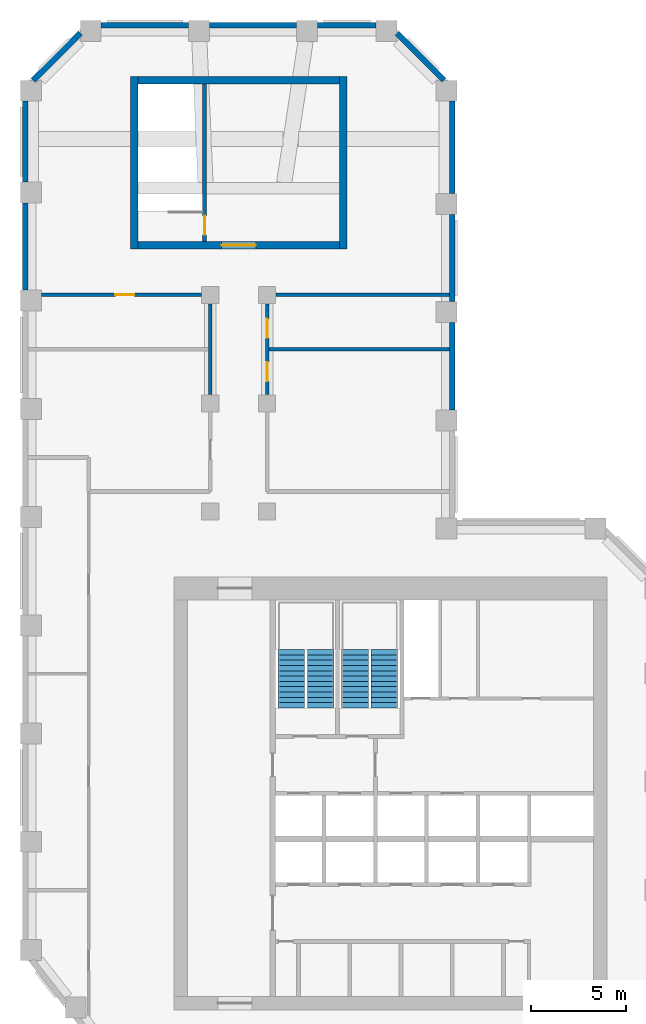
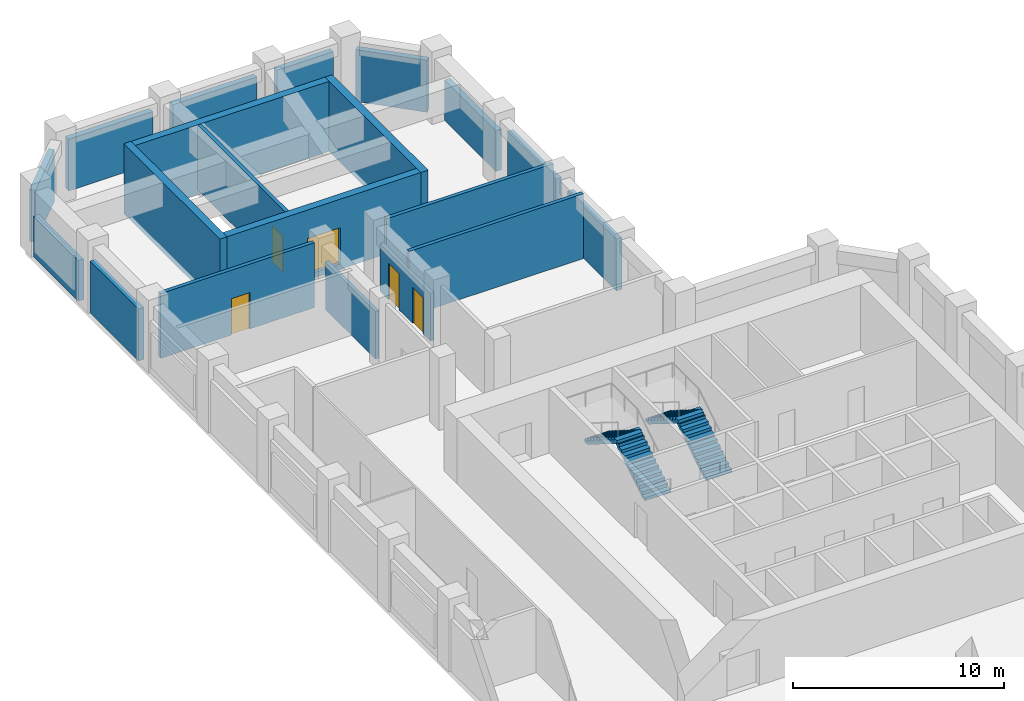
# One storey, part 7 of 8: 20 walls, 5 doors, 4 stair flights, 5 openings, 2 elements without a shape of their own.
"""IFC4 building model written with IfcOpenShell, lengths in metres."""

from ifc_helpers import new_model, si_unit, direction, frame, frame_2d, origin, place, context, subcontext, project, spatial, polyline, rectangle, outline, extrude, material, layer, layer_set, type_object, element, fill, aggregate, save


model = new_model("IFC4")

# Units and contexts
model_context = context("Model", 3, precision=1e-05, world=origin(), true_north=direction((0.0, 1.0)))
body_context = subcontext(model_context, "Body", "Model", "MODEL_VIEW")
ifc_project = project(units=[si_unit("LENGTHUNIT", "METRE"), si_unit("AREAUNIT", "SQUARE_METRE"), si_unit("VOLUMEUNIT", "CUBIC_METRE"), si_unit("PLANEANGLEUNIT", "RADIAN"), si_unit("MASSUNIT", "GRAM", prefix="KILO")], contexts=[model_context])

# Site, building, storey
site_placement = place(None, origin())
site = spatial("IfcSite", under=ifc_project, at=site_placement, CompositionType="ELEMENT")
building_placement = place(site_placement, origin())
building = spatial("IfcBuilding", under=site, at=building_placement, Name="Meshkara Civic Tower", CompositionType="ELEMENT")
storey_placement = place(building_placement, frame((0.0, 0.0, 280.199951171875)))
storey = spatial("IfcBuildingStorey", under=building, at=storey_placement, Name="L64", CompositionType="ELEMENT", Elevation=280.199951171875)

# Walls
ifc_material_1 = material(Name="Insulated infill panel with bronze anodised aluminium cladding", Category="aluminium")
ifc_layer_1 = layer(ifc_material_1, 0.300048828125)
ifc_layer_set_1 = layer_set([ifc_layer_1], Name="EXTERNAL INFILL WALL 300")
wall_type_1 = type_object("IfcWallType", Name="EXTERNAL INFILL WALL 300", PredefinedType="SOLIDWALL", material=ifc_layer_set_1)
wall_1_placement = place(storey_placement, frame((22.64990234375, 45.699951171875, 0.0), z_axis=(0.0, 0.0, 1.0), x_axis=(0.0, 1.0, 0.0)))
element("IfcWall", 1, at=wall_1_placement, inside=storey, type_object=wall_type_1, Name="External wall", PredefinedType="SOLIDWALL", context=body_context, shape_type="SweptSolid", body=[
    extrude(rectangle(XDim=4.60009765625, YDim=0.300048828125, at=frame_2d((2.300048828125, 0.0))), origin(), (0.0, 0.0, 1.0), 3.0),
])
wall_2_placement = place(storey_placement, frame((22.64990234375, 51.40087890625, 0.0), z_axis=(0.0, 0.0, 1.0), x_axis=(0.0, 1.0, 0.0)))
element("IfcWall", 2, at=wall_2_placement, inside=storey, type_object=wall_type_1, Name="External wall", PredefinedType="SOLIDWALL", context=body_context, shape_type="SweptSolid", body=[
    extrude(rectangle(XDim=4.59814453125, YDim=0.300048828125, at=frame_2d((2.299072265625, 0.0))), origin(), (0.0, 0.0, 1.0), 3.0),
])
wall_3_placement = place(storey_placement, frame((22.64990234375, 57.10009765625, 0.0), z_axis=(0.0, 0.0, 1.0), x_axis=(0.0, 1.0, 0.0)))
element("IfcWall", 3, at=wall_3_placement, inside=storey, type_object=wall_type_1, Name="External wall", PredefinedType="SOLIDWALL", context=body_context, shape_type="SweptSolid", body=[
    extrude(rectangle(XDim=4.864013671875, YDim=0.300048828125, at=frame_2d((2.43212890625, 0.0))), origin(), (0.0, 0.0, 1.0), 2.35009765625),
])
wall_4_placement = place(storey_placement, frame((22.22412109375, 63.06396484375, 0.0), z_axis=(0.0, 0.0, 1.0), x_axis=(-0.70714158403, 0.70707197663, 0.0)))
element("IfcWall", 4, at=wall_4_placement, inside=storey, type_object=wall_type_1, Name="External wall", PredefinedType="SOLIDWALL", context=body_context, shape_type="SweptSolid", body=[
    extrude(rectangle(XDim=3.50732421875, YDim=0.300048828125, at=frame_2d((1.753662109375, 0.0))), origin(), (0.0, 0.0, 1.0), 3.0),
])
wall_5_placement = place(storey_placement, frame((18.64306640625, 65.969970703125, 0.0), z_axis=(0.0, 0.0, 1.0), x_axis=(-1.0, 0.0, 0.0)))
element("IfcWall", 5, at=wall_5_placement, inside=storey, type_object=wall_type_1, Name="External wall", PredefinedType="SOLIDWALL", context=body_context, shape_type="SweptSolid", body=[
    extrude(rectangle(XDim=3.087158203125, YDim=0.300048828125, at=frame_2d((1.54345703125, 0.0))), origin(), (0.0, 0.0, 1.0), 3.0),
])
wall_6_placement = place(storey_placement, frame((14.4560546875, 65.969970703125, 0.0), z_axis=(0.0, 0.0, 1.0), x_axis=(-1.0, 0.0, 0.0)))
element("IfcWall", 6, at=wall_6_placement, inside=storey, type_object=wall_type_1, Name="External wall", PredefinedType="SOLIDWALL", context=body_context, shape_type="SweptSolid", body=[
    extrude(rectangle(XDim=4.59912109375, YDim=0.300048828125, at=frame_2d((2.299560546875, 0.0))), origin(), (0.0, 0.0, 1.0), 3.0),
])
wall_7_placement = place(storey_placement, frame((8.7548828125, 65.969970703125, 0.0), z_axis=(0.0, 0.0, 1.0), x_axis=(-1.0, 0.0, 0.0)))
element("IfcWall", 7, at=wall_7_placement, inside=storey, type_object=wall_type_1, Name="External wall", PredefinedType="SOLIDWALL", context=body_context, shape_type="SweptSolid", body=[
    extrude(rectangle(XDim=4.598876953125, YDim=0.300048828125, at=frame_2d((2.29931640625, 0.0))), origin(), (0.0, 0.0, 1.0), 3.0),
])
wall_8_placement = place(storey_placement, frame((3.055908203125, 65.5439453125, 0.0), z_axis=(0.0, 0.0, 1.0), x_axis=(-0.707106781187, -0.707106781187, 0.0)))
element("IfcWall", 8, at=wall_8_placement, inside=storey, type_object=wall_type_1, Name="External wall", PredefinedType="SOLIDWALL", context=body_context, shape_type="SweptSolid", body=[
    extrude(rectangle(XDim=3.50732421875, YDim=0.300048828125, at=frame_2d((1.753662109375, 0.0))), origin(), (0.0, 0.0, 1.0), 3.0),
])
wall_9_placement = place(storey_placement, frame((0.14990234375, 61.964111328125, 0.0), z_axis=(0.0, 0.0, 1.0), x_axis=(0.0, -1.0, 0.0)))
element("IfcWall", 9, at=wall_9_placement, inside=storey, type_object=wall_type_1, Name="External wall", PredefinedType="SOLIDWALL", context=body_context, shape_type="SweptSolid", body=[
    extrude(rectangle(XDim=4.258056640625, YDim=0.300048828125, at=frame_2d((2.12890625, 0.0))), origin(), (0.0, 0.0, 1.0), 2.35009765625),
])
wall_10_placement = place(storey_placement, frame((0.14990234375, 56.60498046875, 0.0), z_axis=(0.0, 0.0, 1.0), x_axis=(0.0, -1.0, 0.0)))
element("IfcWall", 10, at=wall_10_placement, inside=storey, type_object=wall_type_1, Name="External wall", PredefinedType="SOLIDWALL", context=body_context, shape_type="SweptSolid", body=[
    extrude(rectangle(XDim=4.60009765625, YDim=0.300048828125, at=frame_2d((2.300048828125, 0.0))), origin(), (0.0, 0.0, 1.0), 3.0),
])
ifc_material_2 = material(Name="Concrete C60", Category="concrete")
ifc_layer_2 = layer(ifc_material_2, 0.39990234375)
ifc_layer_set_2 = layer_set([ifc_layer_2], Name="End core ring wall 400 C60")
wall_type_2 = type_object("IfcWallType", Name="End core ring wall 400 C60", PredefinedType="SHEAR", material=ifc_layer_set_2)
for number, where, z_axis, x_axis, name in (
    (11, (5.89990234375, 54.169921875, -0.300048828125), (0.0, 0.0, 1.0), (0.0, 1.0, 0.0), "L64-C027"),
    (12, (16.89990234375, 54.169921875, -0.300048828125), (0.0, 0.0, 1.0), (0.0, 1.0, 0.0), "L64-C028"),
):
    element("IfcWall", number, at=place(storey_placement, frame(where, z_axis=z_axis, x_axis=x_axis)), inside=storey, type_object=wall_type_2, Name=name, PredefinedType="SHEAR", context=body_context, shape_type="SweptSolid", body=[
        extrude(rectangle(XDim=9.10009765625, YDim=0.39990234375, at=frame_2d((4.550048828125, 0.0))), origin(), (0.0, 0.0, 1.0), 4.050048828125),
    ])

# Wall, opening, door
wall_11_placement = place(storey_placement, frame((6.10009765625, 54.3701171875, -0.300048828125), z_axis=(0.0, 0.0, 1.0), x_axis=(1.0, 0.0, 0.0)))
wall_11 = element("IfcWall", 13, at=wall_11_placement, inside=storey, type_object=wall_type_2, Name="L64-C029", PredefinedType="SHEAR", context=body_context, shape_type="SweptSolid", body=[
    extrude(rectangle(XDim=10.599853515625, YDim=0.39990234375, at=frame_2d((5.2998046875, 0.0))), origin(), (0.0, 0.0, 1.0), 4.050048828125),
])
opening_1_placement = place(wall_11_placement, frame((4.39990234375, 0.0, 0.300048828125)))
opening_1 = element("IfcOpeningElement", 14, at=opening_1_placement, cuts=wall_11, Name="Opening L64-K102", PredefinedType="OPENING", context=body_context, shape_type="SweptSolid", body=[
    extrude(rectangle(XDim=1.800048828125, YDim=2.10009765625, at=frame_2d((0.89990234375, 1.050048828125))), frame((0.0, 0.2099609375, 0.0), z_axis=(0.0, -1.0, 0.0), x_axis=(1.0, 0.0, 0.0)), (0.0, 0.0, 1.0), 0.419921875),
])
ifc_material_3 = material(Name="Fire-rated door leaf in steel frame", Category="steel")
door_type_1 = type_object("IfcDoorType", Name="Core double door 1800 EI 60", OperationType="DOUBLE_DOOR_SINGLE_SWING", PredefinedType="DOOR", material=ifc_material_3)
door_1_placement = place(opening_1_placement, origin())
door_1 = element("IfcDoor", 15, at=door_1_placement, inside=storey, type_object=door_type_1, Name="L64-K102", OperationType="DOUBLE_DOOR_SINGLE_SWING", OverallHeight=2.10009765625, OverallWidth=1.800048828125, PredefinedType="DOOR", context=body_context, shape_type="SweptSolid", body=[
    extrude(rectangle(XDim=1.800048828125, YDim=2.10009765625, at=frame_2d((0.89990234375, 1.050048828125))), frame((0.0, 0.02490234375, 0.0), z_axis=(0.0, -1.0, 0.0), x_axis=(1.0, 0.0, 0.0)), (0.0, 0.0, 1.0), 0.050048828125),
])
fill(opening_1, door_1)

# Wall
wall_12_placement = place(storey_placement, frame((6.10009765625, 63.070068359375, -0.300048828125), z_axis=(0.0, 0.0, 1.0), x_axis=(1.0, 0.0, 0.0)))
element("IfcWall", 16, at=wall_12_placement, inside=storey, type_object=wall_type_2, Name="L64-C030", PredefinedType="SHEAR", context=body_context, shape_type="SweptSolid", body=[
    extrude(rectangle(XDim=10.599853515625, YDim=0.39990234375, at=frame_2d((5.2998046875, 0.0))), origin(), (0.0, 0.0, 1.0), 4.050048828125),
])

# Wall, opening, door
ifc_material_4 = material(Name="Fire-rated wall 200")
ifc_layer_3 = layer(ifc_material_4, 0.199951171875)
ifc_layer_set_3 = layer_set([ifc_layer_3], Name="Fire-rated wall 200")
wall_type_3 = type_object("IfcWallType", Name="Fire-rated wall 200", PredefinedType="PARTITIONING", material=ifc_layer_set_3)
wall_13_placement = place(storey_placement, frame((1.02001953125, 51.77001953125, 0.0), z_axis=(0.0, 0.0, 1.0), x_axis=(1.0, 0.0, 0.0)))
wall_13 = element("IfcWall", 17, at=wall_13_placement, inside=storey, type_object=wall_type_3, Name="L64-R001", PredefinedType="PARTITIONING", context=body_context, shape_type="SweptSolid", body=[
    extrude(rectangle(XDim=8.409912109375, YDim=0.199951171875, at=frame_2d((4.205078125, 0.0))), origin(), (0.0, 0.0, 1.0), 3.75),
])
opening_2_placement = place(wall_13_placement, frame((3.8798828125, 0.0, 0.0)))
opening_2 = element("IfcOpeningElement", 18, at=opening_2_placement, cuts=wall_13, Name="Opening L64-P016", PredefinedType="OPENING", context=body_context, shape_type="SweptSolid", body=[
    extrude(rectangle(XDim=1.0, YDim=2.10009765625, at=frame_2d((0.5, 1.050048828125))), frame((0.0, 0.10986328125, 0.0), z_axis=(0.0, -1.0, 0.0), x_axis=(1.0, 0.0, 0.0)), (0.0, 0.0, 1.0), 0.219970703125),
])
ifc_material_5 = material(Name="Door 1000 x 2100")
door_type_2 = type_object("IfcDoorType", Name="Door 1000 x 2100", OperationType="SINGLE_SWING_LEFT", PredefinedType="DOOR", material=ifc_material_5)
door_2_placement = place(opening_2_placement, origin())
door_2 = element("IfcDoor", 19, at=door_2_placement, inside=storey, type_object=door_type_2, Name="L64-P016", OperationType="SINGLE_SWING_LEFT", OverallHeight=2.10009765625, OverallWidth=1.0, PredefinedType="DOOR", context=body_context, shape_type="SweptSolid", body=[
    extrude(rectangle(XDim=1.0, YDim=2.10009765625, at=frame_2d((0.5, 1.050048828125))), frame((0.0, 0.02490234375, 0.0), z_axis=(0.0, -1.0, 0.0), x_axis=(1.0, 0.0, 0.0)), (0.0, 0.0, 1.0), 0.050048828125),
])
fill(opening_2, door_2)

# Wall
wall_14_placement = place(storey_placement, frame((9.89990234375, 51.280029296875, 0.0), z_axis=(0.0, 0.0, 1.0), x_axis=(0.0, -1.0, 0.0)))
element("IfcWall", 20, at=wall_14_placement, inside=storey, type_object=wall_type_3, Name="L64-R005", PredefinedType="PARTITIONING", context=body_context, shape_type="SweptSolid", body=[
    extrude(rectangle(XDim=4.760009765625, YDim=0.199951171875, at=frame_2d((2.3798828125, 0.0))), origin(), (0.0, 0.0, 1.0), 2.75),
])

# Wall, openings, doors
wall_15_placement = place(storey_placement, frame((12.89990234375, 51.280029296875, 0.0), z_axis=(0.0, 0.0, 1.0), x_axis=(0.0, -1.0, 0.0)))
wall_15 = element("IfcWall", 21, at=wall_15_placement, inside=storey, type_object=wall_type_3, Name="L64-R009", PredefinedType="PARTITIONING", context=body_context, shape_type="SweptSolid", body=[
    extrude(rectangle(XDim=4.760009765625, YDim=0.199951171875, at=frame_2d((2.3798828125, 0.0))), origin(), (0.0, 0.0, 1.0), 2.75),
])
opening_3_placement = place(wall_15_placement, frame((3.06005859375, 0.0, 0.0)))
opening_3 = element("IfcOpeningElement", 22, at=opening_3_placement, cuts=wall_15, Name="Opening L64-P015", PredefinedType="OPENING", context=body_context, shape_type="SweptSolid", body=[
    extrude(rectangle(XDim=1.0, YDim=2.10009765625, at=frame_2d((0.5, 1.050048828125))), frame((0.0, 0.10986328125, 0.0), z_axis=(0.0, -1.0, 0.0), x_axis=(1.0, 0.0, 0.0)), (0.0, 0.0, 1.0), 0.219970703125),
])
opening_4_placement = place(wall_15_placement, frame((0.780029296875, 0.0, 0.0)))
opening_4 = element("IfcOpeningElement", 23, at=opening_4_placement, cuts=wall_15, Name="Opening L64-P017", PredefinedType="OPENING", context=body_context, shape_type="SweptSolid", body=[
    extrude(rectangle(XDim=1.0, YDim=2.10009765625, at=frame_2d((0.5, 1.050048828125))), frame((0.0, 0.10986328125, 0.0), z_axis=(0.0, -1.0, 0.0), x_axis=(1.0, 0.0, 0.0)), (0.0, 0.0, 1.0), 0.219970703125),
])
door_3_placement = place(opening_3_placement, origin())
door_3 = element("IfcDoor", 24, at=door_3_placement, inside=storey, type_object=door_type_2, Name="L64-P015", OperationType="SINGLE_SWING_LEFT", OverallHeight=2.10009765625, OverallWidth=1.0, PredefinedType="DOOR", context=body_context, shape_type="SweptSolid", body=[
    extrude(rectangle(XDim=1.0, YDim=2.10009765625, at=frame_2d((0.5, 1.050048828125))), frame((0.0, 0.02490234375, 0.0), z_axis=(0.0, -1.0, 0.0), x_axis=(1.0, 0.0, 0.0)), (0.0, 0.0, 1.0), 0.050048828125),
])
fill(opening_3, door_3)
door_4_placement = place(opening_4_placement, origin())
door_4 = element("IfcDoor", 25, at=door_4_placement, inside=storey, type_object=door_type_2, Name="L64-P017", OperationType="SINGLE_SWING_RIGHT", OverallHeight=2.10009765625, OverallWidth=1.0, PredefinedType="DOOR", context=body_context, shape_type="SweptSolid", body=[
    extrude(rectangle(XDim=1.0, YDim=2.10009765625, at=frame_2d((0.5, 1.050048828125))), frame((0.0, 0.02490234375, 0.0), z_axis=(0.0, -1.0, 0.0), x_axis=(1.0, 0.0, 0.0)), (0.0, 0.0, 1.0), 0.050048828125),
])
fill(opening_4, door_4)

# Walls
wall_16_placement = place(storey_placement, frame((13.3701171875, 51.77001953125, 0.0), z_axis=(0.0, 0.0, 1.0), x_axis=(1.0, 0.0, 0.0)))
element("IfcWall", 26, at=wall_16_placement, inside=storey, type_object=wall_type_3, Name="L64-R010", PredefinedType="PARTITIONING", context=body_context, shape_type="SweptSolid", body=[
    extrude(rectangle(XDim=9.1298828125, YDim=0.199951171875, at=frame_2d((4.56494140625, 0.0))), origin(), (0.0, 0.0, 1.0), 3.75),
])
wall_17_placement = place(storey_placement, frame((22.5, 48.89990234375, 0.0), z_axis=(0.0, 0.0, 1.0), x_axis=(-1.0, 0.0, 0.0)))
element("IfcWall", 27, at=wall_17_placement, inside=storey, type_object=wall_type_3, Name="L64-R034", PredefinedType="PARTITIONING", context=body_context, shape_type="SweptSolid", body=[
    extrude(rectangle(XDim=9.550048828125, YDim=0.199951171875, at=frame_2d((4.77490234375, 0.0))), origin(), (0.0, 0.0, 1.0), 3.75),
])

# Wall, opening, door
ifc_material_6 = material(Name="Concrete C40/50", Category="concrete")
ifc_layer_4 = layer(ifc_material_6, 0.199951171875)
ifc_layer_set_4 = layer_set([ifc_layer_4], Name="Stair enclosure wall 200 C40/50")
wall_type_4 = type_object("IfcWallType", Name="Stair enclosure wall 200 C40/50", PredefinedType="SOLIDWALL", material=ifc_layer_set_4)
wall_18_placement = place(storey_placement, frame((9.60009765625, 54.570068359375, 0.0), z_axis=(0.0, 0.0, 1.0), x_axis=(0.0, 1.0, 0.0)))
wall_18 = element("IfcWall", 28, at=wall_18_placement, inside=storey, type_object=wall_type_4, Name="L64-C031", PredefinedType="SOLIDWALL", context=body_context, shape_type="SweptSolid", body=[
    extrude(rectangle(XDim=8.300048828125, YDim=0.199951171875, at=frame_2d((4.14990234375, 0.0))), origin(), (0.0, 0.0, 1.0), 3.75),
])
opening_5_placement = place(wall_18_placement, frame((0.35009765625, 0.0, 0.0)))
opening_5 = element("IfcOpeningElement", 29, at=opening_5_placement, cuts=wall_18, Name="Opening L64-K101", PredefinedType="OPENING", context=body_context, shape_type="SweptSolid", body=[
    extrude(rectangle(XDim=1.0, YDim=2.10009765625, at=frame_2d((0.5, 1.050048828125))), frame((0.0, 0.10986328125, 0.0), z_axis=(0.0, -1.0, 0.0), x_axis=(1.0, 0.0, 0.0)), (0.0, 0.0, 1.0), 0.219970703125),
])
ifc_material_7 = material(Name="Fire-rated door leaf in steel frame", Category="steel")
door_type_3 = type_object("IfcDoorType", Name="Stair door 1000 EI 120", OperationType="SINGLE_SWING_LEFT", PredefinedType="DOOR", material=ifc_material_7)
door_5_placement = place(opening_5_placement, origin())
door_5 = element("IfcDoor", 30, at=door_5_placement, inside=storey, type_object=door_type_3, Name="L64-K101", OperationType="SINGLE_SWING_RIGHT", OverallHeight=2.10009765625, OverallWidth=1.0, PredefinedType="DOOR", context=body_context, shape_type="SweptSolid", body=[
    extrude(rectangle(XDim=1.0, YDim=2.10009765625, at=frame_2d((0.5, 1.050048828125))), frame((0.0, 0.02490234375, 0.0), z_axis=(0.0, -1.0, 0.0), x_axis=(1.0, 0.0, 0.0)), (0.0, 0.0, 1.0), 0.050048828125),
])
fill(opening_5, door_5)

# Stair, stair flights
ifc_material_8 = material(Name="Precast concrete C40/50", Category="concrete")
stair_type = type_object("IfcStairType", Name="Exit stair half-turn 24 risers precast", PredefinedType="HALF_TURN_STAIR", material=ifc_material_8)
stair_1_placement = place(storey_placement, origin())
stair_1 = element("IfcStair", 31, at=stair_1_placement, inside=storey, type_object=stair_type, Name="L64 exit stair 1", PredefinedType="HALF_TURN_STAIR")
ifc_material_9 = material(Name="Precast concrete C40/50", Category="concrete")
stair_flight_type = type_object("IfcStairFlightType", Name="Exit stair flight 12 risers precast", PredefinedType="STRAIGHT", material=ifc_material_9)
stair_flight_1_placement = place(storey_placement, frame((15.72509765625, 30.0, 0.0), z_axis=(0.0, 0.0, 1.0), x_axis=(0.0, 1.0, 0.0)))
stair_flight_1 = element("IfcStairFlight", 32, at=stair_flight_1_placement, type_object=stair_flight_type, Name="ST1 flight 1", NumberOfRisers=12, NumberOfTreads=11, PredefinedType="STRAIGHT", RiserHeight=0.175, TreadLength=0.28, context=body_context, shape_type="SweptSolid", body=[
    extrude(outline(polyline([(0.0, 0.0), (0.0, 0.175048828125), (0.280029296875, 0.175048828125), (0.280029296875, 0.35009765625), (0.56005859375, 0.35009765625), (0.56005859375, 0.52490234375), (0.840087890625, 0.52490234375), (0.840087890625, 0.699951171875), (1.1201171875, 0.699951171875), (1.1201171875, 0.875), (1.39990234375, 0.875), (1.39990234375, 1.050048828125), (1.679931640625, 1.050048828125), (1.679931640625, 1.22509765625), (1.9599609375, 1.22509765625), (1.9599609375, 1.39990234375), (2.239990234375, 1.39990234375), (2.239990234375, 1.574951171875), (2.52001953125, 1.574951171875), (2.52001953125, 1.75), (2.800048828125, 1.75), (2.800048828125, 1.925048828125), (3.080078125, 1.925048828125), (3.080078125, 2.10009765625), (3.080078125, 1.748291015625), (0.28271484375, 0.0), (0.0, 0.0)])), frame((0.0, 0.699951171875, 0.0), z_axis=(0.0, -1.0, 0.0), x_axis=(1.0, 0.0, 0.0)), (0.0, 0.0, 1.0), 1.39990234375),
])
stair_flight_2_placement = place(storey_placement, frame((14.175048828125, 33.080078125, 2.10009765625), z_axis=(0.0, 0.0, 1.0), x_axis=(0.0, -1.0, 0.0)))
stair_flight_2 = element("IfcStairFlight", 33, at=stair_flight_2_placement, type_object=stair_flight_type, Name="ST1 flight 2", NumberOfRisers=12, NumberOfTreads=11, PredefinedType="STRAIGHT", RiserHeight=0.175, TreadLength=0.28, context=body_context, shape_type="SweptSolid", body=[
    extrude(outline(polyline([(0.0, 0.0), (0.0, 0.175048828125), (0.280029296875, 0.175048828125), (0.280029296875, 0.35009765625), (0.56005859375, 0.35009765625), (0.56005859375, 0.52490234375), (0.840087890625, 0.52490234375), (0.840087890625, 0.699951171875), (1.1201171875, 0.699951171875), (1.1201171875, 0.875), (1.39990234375, 0.875), (1.39990234375, 1.050048828125), (1.679931640625, 1.050048828125), (1.679931640625, 1.22509765625), (1.9599609375, 1.22509765625), (1.9599609375, 1.39990234375), (2.239990234375, 1.39990234375), (2.239990234375, 1.574951171875), (2.52001953125, 1.574951171875), (2.52001953125, 1.75), (2.800048828125, 1.75), (2.800048828125, 1.925048828125), (3.080078125, 1.925048828125), (3.080078125, 2.10009765625), (3.080078125, 1.748291015625), (0.28271484375, 0.0), (0.0, 0.0)])), frame((0.0, 0.699951171875, 0.0), z_axis=(0.0, -1.0, 0.0), x_axis=(1.0, 0.0, 0.0)), (0.0, 0.0, 1.0), 1.39990234375),
])
aggregate(stair_1, [stair_flight_1, stair_flight_2])

stair_2_placement = place(storey_placement, origin())
stair_2 = element("IfcStair", 34, at=stair_2_placement, inside=storey, type_object=stair_type, Name="L64 exit stair 2", PredefinedType="HALF_TURN_STAIR")
stair_flight_3_placement = place(storey_placement, frame((19.074951171875, 30.0, 0.0), z_axis=(0.0, 0.0, 1.0), x_axis=(0.0, 1.0, 0.0)))
stair_flight_3 = element("IfcStairFlight", 35, at=stair_flight_3_placement, type_object=stair_flight_type, Name="ST2 flight 1", NumberOfRisers=12, NumberOfTreads=11, PredefinedType="STRAIGHT", RiserHeight=0.175, TreadLength=0.28, context=body_context, shape_type="SweptSolid", body=[
    extrude(outline(polyline([(0.0, 0.0), (0.0, 0.175048828125), (0.280029296875, 0.175048828125), (0.280029296875, 0.35009765625), (0.56005859375, 0.35009765625), (0.56005859375, 0.52490234375), (0.840087890625, 0.52490234375), (0.840087890625, 0.699951171875), (1.1201171875, 0.699951171875), (1.1201171875, 0.875), (1.39990234375, 0.875), (1.39990234375, 1.050048828125), (1.679931640625, 1.050048828125), (1.679931640625, 1.22509765625), (1.9599609375, 1.22509765625), (1.9599609375, 1.39990234375), (2.239990234375, 1.39990234375), (2.239990234375, 1.574951171875), (2.52001953125, 1.574951171875), (2.52001953125, 1.75), (2.800048828125, 1.75), (2.800048828125, 1.925048828125), (3.080078125, 1.925048828125), (3.080078125, 2.10009765625), (3.080078125, 1.748291015625), (0.28271484375, 0.0), (0.0, 0.0)])), frame((0.0, 0.699951171875, 0.0), z_axis=(0.0, -1.0, 0.0), x_axis=(1.0, 0.0, 0.0)), (0.0, 0.0, 1.0), 1.39990234375),
])
stair_flight_4_placement = place(storey_placement, frame((17.52490234375, 33.080078125, 2.10009765625), z_axis=(0.0, 0.0, 1.0), x_axis=(0.0, -1.0, 0.0)))
stair_flight_4 = element("IfcStairFlight", 36, at=stair_flight_4_placement, type_object=stair_flight_type, Name="ST2 flight 2", NumberOfRisers=12, NumberOfTreads=11, PredefinedType="STRAIGHT", RiserHeight=0.175, TreadLength=0.28, context=body_context, shape_type="SweptSolid", body=[
    extrude(outline(polyline([(0.0, 0.0), (0.0, 0.175048828125), (0.280029296875, 0.175048828125), (0.280029296875, 0.35009765625), (0.56005859375, 0.35009765625), (0.56005859375, 0.52490234375), (0.840087890625, 0.52490234375), (0.840087890625, 0.699951171875), (1.1201171875, 0.699951171875), (1.1201171875, 0.875), (1.39990234375, 0.875), (1.39990234375, 1.050048828125), (1.679931640625, 1.050048828125), (1.679931640625, 1.22509765625), (1.9599609375, 1.22509765625), (1.9599609375, 1.39990234375), (2.239990234375, 1.39990234375), (2.239990234375, 1.574951171875), (2.52001953125, 1.574951171875), (2.52001953125, 1.75), (2.800048828125, 1.75), (2.800048828125, 1.925048828125), (3.080078125, 1.925048828125), (3.080078125, 2.10009765625), (3.080078125, 1.748291015625), (0.28271484375, 0.0), (0.0, 0.0)])), frame((0.0, 0.699951171875, 0.0), z_axis=(0.0, -1.0, 0.0), x_axis=(1.0, 0.0, 0.0)), (0.0, 0.0, 1.0), 1.39990234375),
])
aggregate(stair_2, [stair_flight_3, stair_flight_4])

save(model, "model.ifc")
